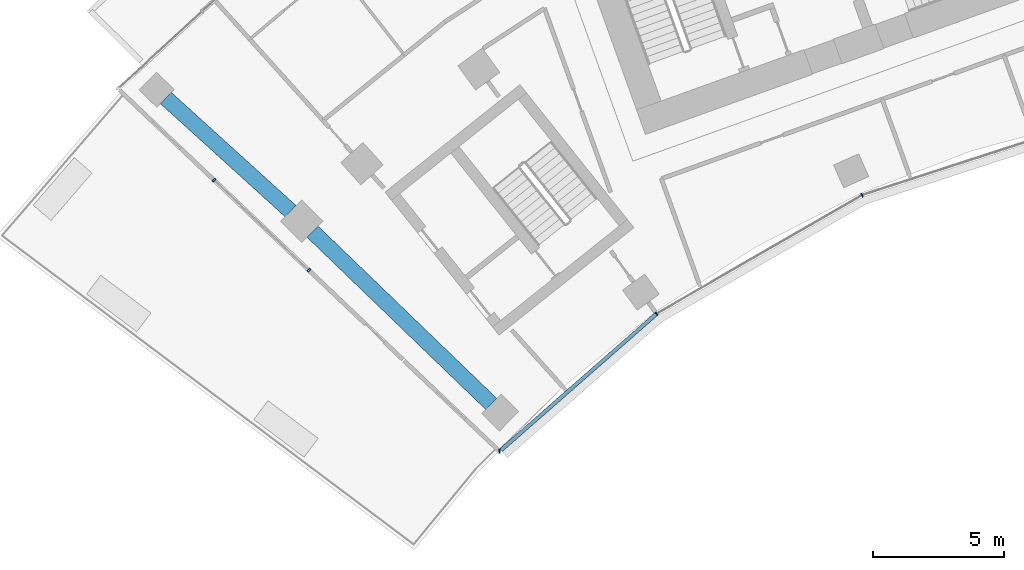
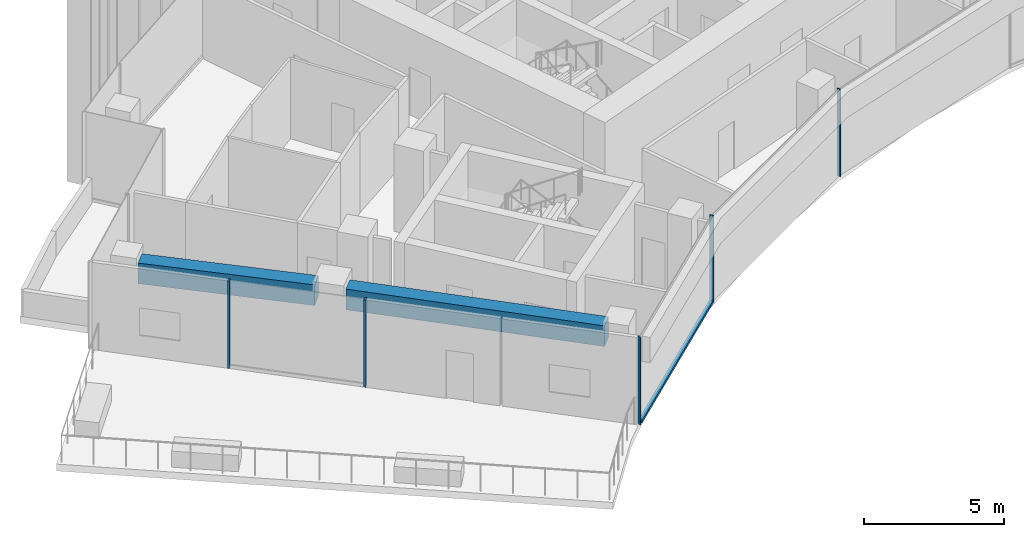
# One storey, part 2 of 20: 6 members, 2 beams, 2 elements without a shape of their own.
"""IFC4 building model written with IfcOpenShell, lengths in metres."""

from ifc_helpers import new_model, si_unit, direction, frame, origin, origin_2d, place, context, subcontext, project, spatial, rectangle, extrude, material, layer, layer_set, material_profile, profile_set, type_object, element, aggregate, save


model = new_model("IFC4")

# Units and contexts
model_context = context("Model", 3, precision=1e-05, world=origin(), true_north=direction((0.0, 1.0)))
body_context = subcontext(model_context, "Body", "Model", "MODEL_VIEW")
ifc_project = project(units=[si_unit("LENGTHUNIT", "METRE"), si_unit("AREAUNIT", "SQUARE_METRE"), si_unit("VOLUMEUNIT", "CUBIC_METRE"), si_unit("PLANEANGLEUNIT", "RADIAN"), si_unit("MASSUNIT", "GRAM", prefix="KILO")], contexts=[model_context])

# Site, building, storey
site_placement = place(None, origin())
site = spatial("IfcSite", under=ifc_project, at=site_placement, CompositionType="ELEMENT")
building_placement = place(site_placement, origin())
building = spatial("IfcBuilding", under=site, at=building_placement, Name="Stone Belt Terrace Tower", CompositionType="ELEMENT")
storey_placement = place(building_placement, frame((0.0, 0.0, 201.0)))
storey = spatial("IfcBuildingStorey", under=building, at=storey_placement, Name="L48", CompositionType="ELEMENT", Elevation=201.0)

# Curtain wall, members
ifc_material_1 = material(Name="Aluminium 6063-T6 anodised frame", Category="aluminium")
ifc_layer_1 = layer(ifc_material_1, 0.14990234375)
ifc_layer_set_1 = layer_set([ifc_layer_1], Name="CW-B unitised concave-face curtain wall")
curtain_wall_type_1 = type_object("IfcCurtainWallType", Name="CW-B unitised concave-face curtain wall", PredefinedType="NOTDEFINED", material=ifc_layer_set_1)
curtain_wall_1_placement = place(storey_placement, origin())
curtain_wall_1 = element("IfcCurtainWall", 1, at=curtain_wall_1_placement, inside=storey, type_object=curtain_wall_type_1, Name="CW-B concave face L48", PredefinedType="NOTDEFINED")
ifc_material_profile_1 = material_profile(ifc_material_1, rectangle(XDim=0.14990234375, YDim=0.050048828125, at=origin_2d()), Name="Aluminium 6063-T6 50x150")
ifc_profile_set_1 = profile_set([ifc_material_profile_1], Name="Aluminium 6063-T6 anodised frame")
member_type_1 = type_object("IfcMemberType", Name="CW-B mullion 50 x 150", PredefinedType="MULLION", material=ifc_profile_set_1)
member_1_placement = place(storey_placement, frame((-31.535888671875, 29.863037109375, 0.0), z_axis=(0.0, 0.0, 1.0), x_axis=(0.020135351708, 0.999797263255, 0.0)))
member_1 = element("IfcMember", 2, at=member_1_placement, type_object=member_type_1, Name="CW-B mullion 1", PredefinedType="MULLION", context=body_context, shape_type="SweptSolid", body=[
    extrude(rectangle(XDim=0.14990234375, YDim=0.050048828125, at=origin_2d()), origin(), (0.0, 0.0, 1.0), 3.800048828125),
])
member_2_placement = place(storey_placement, frame((-25.524658203125, 35.130859375, 0.0), z_axis=(0.0, 0.0, 1.0), x_axis=(-0.582341737817, 0.812944094263, 0.0)))
member_2 = element("IfcMember", 3, at=member_2_placement, type_object=member_type_1, Name="CW-B mullion 2", PredefinedType="MULLION", context=body_context, shape_type="SweptSolid", body=[
    extrude(rectangle(XDim=0.14990234375, YDim=0.050048828125, at=origin_2d()), origin(), (0.0, 0.0, 1.0), 3.800048828125),
])
member_3_placement = place(storey_placement, frame((-17.662353515625, 39.67041015625, 0.0), z_axis=(0.0, 0.0, 1.0), x_axis=(-0.406736643076, 0.913545457643, 0.0)))
member_3 = element("IfcMember", 4, at=member_3_placement, type_object=member_type_1, Name="CW-B mullion 3", PredefinedType="MULLION", context=body_context, shape_type="SweptSolid", body=[
    extrude(rectangle(XDim=0.14990234375, YDim=0.050048828125, at=origin_2d()), origin(), (0.0, 0.0, 1.0), 3.800048828125),
])
ifc_material_profile_2 = material_profile(ifc_material_1, rectangle(XDim=0.14990234375, YDim=0.1201171875, at=origin_2d()), Name="Aluminium 6063-T6 150x120")
ifc_profile_set_2 = profile_set([ifc_material_profile_2], Name="Aluminium 6063-T6 anodised frame")
member_type_2 = type_object("IfcMemberType", Name="CW-B transom 120 x 150", PredefinedType="USERDEFINED", material=ifc_profile_set_2)
member_4_placement = place(storey_placement, frame((-31.48388671875, 29.908447265625, 0.06005859375), z_axis=(0.752060929485, 0.659093588455, 0.0), x_axis=(-0.659093588455, 0.752060929485, 0.0)))
member_4 = element("IfcMember", 5, at=member_4_placement, type_object=member_type_2, Name="CW-B transom 1.1", ObjectType="TRANSOM", PredefinedType="USERDEFINED", context=body_context, shape_type="SweptSolid", body=[
    extrude(rectangle(XDim=0.14990234375, YDim=0.1201171875, at=origin_2d()), origin(), (0.0, 0.0, 1.0), 7.891357421875),
])
aggregate(curtain_wall_1, [member_1, member_2, member_3, member_4])

ifc_layer_2 = layer(ifc_material_1, 0.14990234375)
ifc_layer_set_2 = layer_set([ifc_layer_2], Name="CW-E conservatory and damper hall curtain wall")
curtain_wall_type_2 = type_object("IfcCurtainWallType", Name="CW-E conservatory and damper hall curtain wall", PredefinedType="NOTDEFINED", material=ifc_layer_set_2)
curtain_wall_2_placement = place(storey_placement, origin())
curtain_wall_2 = element("IfcCurtainWall", 6, at=curtain_wall_2_placement, inside=storey, type_object=curtain_wall_type_2, Name="CW-E end face L48", PredefinedType="NOTDEFINED")
ifc_material_profile_3 = material_profile(ifc_material_1, rectangle(XDim=0.14990234375, YDim=0.080078125, at=origin_2d()), Name="Aluminium 6063-T6 80x150")
ifc_profile_set_3 = profile_set([ifc_material_profile_3], Name="Aluminium 6063-T6 anodised frame")
member_type_3 = type_object("IfcMemberType", Name="CW-E mullion 80 x 150", PredefinedType="MULLION", material=ifc_profile_set_3)
member_5_placement = place(storey_placement, frame((-42.459228515625, 40.24267578125, 0.0), z_axis=(0.0, 0.0, 1.0), x_axis=(0.688839705238, 0.72491369175, 0.0)))
member_5 = element("IfcMember", 7, at=member_5_placement, type_object=member_type_3, Name="CW-E mullion 2", PredefinedType="MULLION", context=body_context, shape_type="SweptSolid", body=[
    extrude(rectangle(XDim=0.14990234375, YDim=0.080078125, at=origin_2d()), origin(), (0.0, 0.0, 1.0), 3.800048828125),
])
member_6_placement = place(storey_placement, frame((-38.83447265625, 36.798583984375, 0.0), z_axis=(0.0, 0.0, 1.0), x_axis=(0.688839705238, 0.72491369175, 0.0)))
member_6 = element("IfcMember", 8, at=member_6_placement, type_object=member_type_3, Name="CW-E mullion 3", PredefinedType="MULLION", context=body_context, shape_type="SweptSolid", body=[
    extrude(rectangle(XDim=0.14990234375, YDim=0.080078125, at=origin_2d()), origin(), (0.0, 0.0, 1.0), 3.800048828125),
])
aggregate(curtain_wall_2, [member_5, member_6])

# Beams
ifc_material_2 = material(Name="Concrete B60", Category="concrete")
ifc_material_profile_4 = material_profile(ifc_material_2, rectangle(XDim=0.60009765625, YDim=0.89990234375, at=origin_2d()), Name="RC 600x900")
ifc_profile_set_4 = profile_set([ifc_material_profile_4], Name="Concrete B60")
beam_type = type_object("IfcBeamType", Name="Edge beam RC 600x900 B60", PredefinedType="SPANDREL", material=ifc_profile_set_4)
beam_1_placement = place(storey_placement, frame((-31.849853515625, 31.676513671875, 3.030029296875), z_axis=(-0.720008357079, 0.693965392319, 0.0), x_axis=(-0.693965392319, -0.720008357079, 0.0)))
element("IfcBeam", 9, at=beam_1_placement, inside=storey, type_object=beam_type, Name="Edge beam L48 A P to Q", PredefinedType="SPANDREL", context=body_context, shape_type="SweptSolid", body=[
    extrude(rectangle(XDim=0.60009765625, YDim=0.89990234375, at=origin_2d()), origin(), (0.0, 0.0, 1.0), 9.505859375),
])
beam_2_placement = place(storey_placement, frame((-39.534423828125, 39.05908203125, 3.030029296875), z_axis=(-0.740813729974, 0.671710516132, 0.0), x_axis=(-0.671710516132, -0.740813729974, 0.0)))
element("IfcBeam", 10, at=beam_2_placement, inside=storey, type_object=beam_type, Name="Edge beam L48 A Q to R", PredefinedType="SPANDREL", context=body_context, shape_type="SweptSolid", body=[
    extrude(rectangle(XDim=0.60009765625, YDim=0.89990234375, at=origin_2d()), origin(), (0.0, 0.0, 1.0), 6.444091796875),
])

save(model, "model.ifc")
